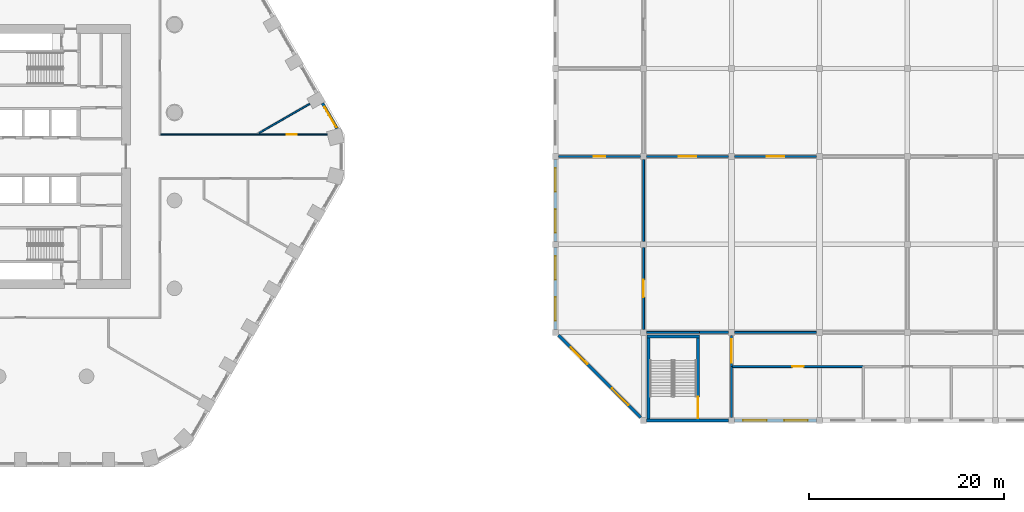
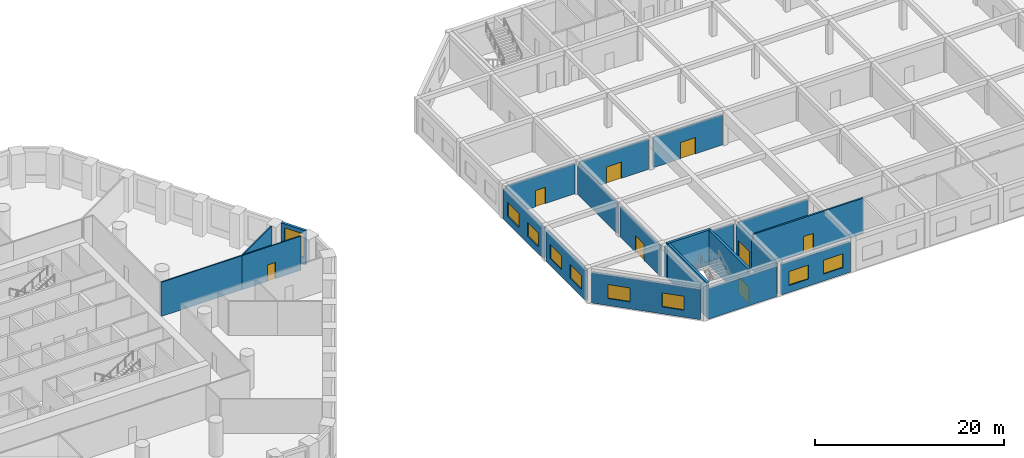
# One storey, part 13 of 26: 23 walls, 9 windows, 8 doors, 17 openings.
"""IFC4 building model written with IfcOpenShell, lengths in metres."""

from ifc_helpers import new_model, si_unit, direction, frame, frame_2d, origin, place, context, subcontext, project, spatial, rectangle, extrude, material, layer, layer_set, type_object, element, fill, save


model = new_model("IFC4")

# Units and contexts
model_context = context("Model", 3, precision=1e-05, world=origin(), true_north=direction((0.0, 1.0)))
body_context = subcontext(model_context, "Body", "Model", "MODEL_VIEW")
ifc_project = project(units=[si_unit("LENGTHUNIT", "METRE"), si_unit("AREAUNIT", "SQUARE_METRE"), si_unit("VOLUMEUNIT", "CUBIC_METRE"), si_unit("PLANEANGLEUNIT", "RADIAN"), si_unit("MASSUNIT", "GRAM", prefix="KILO")], contexts=[model_context])

# Site, building, storey
site_placement = place(None, origin())
site = spatial("IfcSite", under=ifc_project, at=site_placement, CompositionType="ELEMENT")
building_placement = place(site_placement, origin())
building = spatial("IfcBuilding", under=site, at=building_placement, Name="Dhurran Vertical Campus", CompositionType="ELEMENT")
storey_placement = place(building_placement, frame((0.0, 0.0, 15.60009765625)))
storey = spatial("IfcBuildingStorey", under=building, at=storey_placement, Name="L03", CompositionType="ELEMENT", Elevation=15.60009765625)

# Wall, opening, window
ifc_material_1 = material(Name="Precast concrete C50/60", Category="concrete")
ifc_layer_1 = layer(ifc_material_1, 0.300048828125)
ifc_layer_set_1 = layer_set([ifc_layer_1], Name="Precast concrete C50/60")
wall_type_1 = type_object("IfcWallType", Name="Precast spandrel wall 300", PredefinedType="SOLIDWALL", material=ifc_layer_set_1)
wall_1_placement = place(storey_placement, frame((39.138671875, 2.86376953125, 0.0), z_axis=(0.0, 0.0, 1.0), x_axis=(-0.49999586137, 0.866027793211, 0.0)))
wall_1 = element("IfcWall", 1, at=wall_1_placement, inside=storey, type_object=wall_type_1, Name="EW1 L03.18", PredefinedType="SOLIDWALL", context=body_context, shape_type="SweptSolid", body=[
    extrude(rectangle(XDim=2.98876953125, YDim=0.300048828125, at=frame_2d((1.494384765625, 0.0))), origin(), (0.0, 0.0, 1.0), 4.39990234375),
])
opening_1_placement = place(wall_1_placement, frame((0.139404296875, 0.0, 0.89990234375)))
opening_1 = element("IfcOpeningElement", 2, at=opening_1_placement, cuts=wall_1, Name="Opening WT2", PredefinedType="OPENING", context=body_context, shape_type="SweptSolid", body=[
    extrude(rectangle(XDim=2.39990234375, YDim=3.0, at=frame_2d((1.199951171875, 1.5))), frame((0.0, 0.159912109375, 0.0), z_axis=(0.0, -1.0, 0.0), x_axis=(1.0, 0.0, 0.0)), (0.0, 0.0, 1.0), 0.320068359375),
])
ifc_material_2 = material(Name="Aluminium frame with solar-control glass", Category="aluminium")
window_type_1 = type_object("IfcWindowType", Name="Podium window 2400 x 3000", PartitioningType="SINGLE_PANEL", PredefinedType="WINDOW", material=ifc_material_2)
window_1_placement = place(opening_1_placement, origin())
window_1 = element("IfcWindow", 3, at=window_1_placement, inside=storey, type_object=window_type_1, Name="WT2 L03.18", OverallHeight=3.0, OverallWidth=2.39990234375, PartitioningType="SINGLE_PANEL", PredefinedType="WINDOW", context=body_context, shape_type="SweptSolid", body=[
    extrude(rectangle(XDim=2.39990234375, YDim=3.0, at=frame_2d((1.199951171875, 1.5))), frame((0.0, 0.030029296875, 0.0), z_axis=(0.0, -1.0, 0.0), x_axis=(1.0, 0.0, 0.0)), (0.0, 0.0, 1.0), 0.06005859375),
])
fill(opening_1, window_1)

# Wall
ifc_material_3 = material(Name="Gypsum board corridor wall on steel studs", Category="steel")
ifc_layer_2 = layer(ifc_material_3, 0.14990234375)
ifc_layer_set_2 = layer_set([ifc_layer_2], Name="Gypsum board corridor wall on steel studs")
wall_type_2 = type_object("IfcWallType", Name="fl-CW-150 corridor wall", PredefinedType="PARTITIONING", material=ifc_layer_set_2)
wall_2_placement = place(storey_placement, frame((21.074951171875, 2.25, 0.0), z_axis=(0.0, 0.0, 1.0), x_axis=(1.0, 0.0, 0.0)))
element("IfcWall", 4, at=wall_2_placement, inside=storey, type_object=wall_type_2, Name="Partition 03-42", PredefinedType="PARTITIONING", context=body_context, shape_type="SweptSolid", body=[
    extrude(rectangle(XDim=9.822021484375, YDim=0.14990234375, at=frame_2d((4.9111328125, 0.0))), origin(), (0.0, 0.0, 1.0), 4.39990234375),
])

# Wall, opening, door
wall_3_placement = place(storey_placement, frame((30.89697265625, 2.25, 0.0), z_axis=(0.0, 0.0, 1.0), x_axis=(1.0, 0.0, 0.0)))
wall_3 = element("IfcWall", 5, at=wall_3_placement, inside=storey, type_object=wall_type_2, Name="Partition 03-50", PredefinedType="PARTITIONING", context=body_context, shape_type="SweptSolid", body=[
    extrude(rectangle(XDim=7.218505859375, YDim=0.14990234375, at=frame_2d((3.609375, 0.0))), origin(), (0.0, 0.0, 1.0), 4.39990234375),
])
opening_2_placement = place(wall_3_placement, frame((3.109130859375, 0.0, 0.0)))
opening_2 = element("IfcOpeningElement", 6, at=opening_2_placement, cuts=wall_3, Name="Opening PD03.17", PredefinedType="OPENING", context=body_context, shape_type="SweptSolid", body=[
    extrude(rectangle(XDim=1.0, YDim=2.10009765625, at=frame_2d((0.5, 1.050048828125))), frame((0.0, 0.0849609375, 0.0), z_axis=(0.0, -1.0, 0.0), x_axis=(1.0, 0.0, 0.0)), (0.0, 0.0, 1.0), 0.169921875),
])
ifc_material_4 = material(Name="Solid-core timber door set, fire-rated", Category="wood")
door_type_1 = type_object("IfcDoorType", Name="fl-D-1000x2100", OperationType="SINGLE_SWING_LEFT", PredefinedType="DOOR", material=ifc_material_4)
door_1_placement = place(opening_2_placement, origin())
door_1 = element("IfcDoor", 7, at=door_1_placement, inside=storey, type_object=door_type_1, Name="Door 03.17", OperationType="SINGLE_SWING_LEFT", OverallHeight=2.10009765625, OverallWidth=1.0, PredefinedType="DOOR", context=body_context, shape_type="SweptSolid", body=[
    extrude(rectangle(XDim=1.0, YDim=2.10009765625, at=frame_2d((0.5, 1.050048828125))), frame((0.0, 0.02490234375, 0.0), z_axis=(0.0, -1.0, 0.0), x_axis=(1.0, 0.0, 0.0)), (0.0, 0.0, 1.0), 0.050048828125),
])
fill(opening_2, door_1)

# Wall
ifc_material_5 = material(Name="Gypsum board partition on steel studs", Category="steel")
ifc_layer_3 = layer(ifc_material_5, 0.14990234375)
ifc_layer_set_3 = layer_set([ifc_layer_3], Name="Gypsum board partition on steel studs")
wall_type_3 = type_object("IfcWallType", Name="fl-PW-150 fixed partition", PredefinedType="PARTITIONING", material=ifc_layer_set_3)
wall_4_placement = place(storey_placement, frame((36.330810546875, 5.38720703125, 0.0), z_axis=(0.0, 0.0, 1.0), x_axis=(-0.866018198007, -0.500012480565, 0.0)))
element("IfcWall", 8, at=wall_4_placement, inside=storey, type_object=wall_type_3, Name="Partition 03-49", PredefinedType="PARTITIONING", context=body_context, shape_type="SweptSolid", body=[
    extrude(rectangle(XDim=5.999267578125, YDim=0.14990234375, at=frame_2d((2.99951171875, 0.0))), origin(), (0.0, 0.0, 1.0), 4.39990234375),
])

# Wall, openings, windows
ifc_material_6 = material(Name="Precast concrete C40/50", Category="concrete")
ifc_layer_4 = layer(ifc_material_6, 0.300048828125)
ifc_layer_set_4 = layer_set([ifc_layer_4], Name="Precast concrete C40/50")
wall_type_4 = type_object("IfcWallType", Name="hl-external wall precast 300", PredefinedType="SOLIDWALL", material=ifc_layer_set_4)
wall_5_placement = place(storey_placement, frame((61.800048828125, -18.300048828125, 0.0), z_axis=(0.0, 0.0, 1.0), x_axis=(0.707106781187, -0.707106781187, 0.0)))
wall_5 = element("IfcWall", 9, at=wall_5_placement, inside=storey, type_object=wall_type_4, Name="Hall external wall L03-002", PredefinedType="SOLIDWALL", context=body_context, shape_type="SweptSolid", body=[
    extrude(rectangle(XDim=11.879150390625, YDim=0.300048828125, at=frame_2d((5.939453125, 0.0))), origin(), (0.0, 0.0, 1.0), 3.89990234375),
])
opening_3_placement = place(wall_5_placement, frame((1.769775390625, 0.0, 0.89990234375)))
opening_3 = element("IfcOpeningElement", 10, at=opening_3_placement, cuts=wall_5, Name="Opening HWN1", PredefinedType="OPENING", context=body_context, shape_type="SweptSolid", body=[
    extrude(rectangle(XDim=2.39990234375, YDim=1.800048828125, at=frame_2d((1.199951171875, 0.89990234375))), frame((0.0, 0.159912109375, 0.0), z_axis=(0.0, -1.0, 0.0), x_axis=(1.0, 0.0, 0.0)), (0.0, 0.0, 1.0), 0.320068359375),
])
opening_4_placement = place(wall_5_placement, frame((7.70947265625, 0.0, 0.89990234375)))
opening_4 = element("IfcOpeningElement", 11, at=opening_4_placement, cuts=wall_5, Name="Opening HWN1", PredefinedType="OPENING", context=body_context, shape_type="SweptSolid", body=[
    extrude(rectangle(XDim=2.39990234375, YDim=1.800048828125, at=frame_2d((1.199951171875, 0.89990234375))), frame((0.0, 0.159912109375, 0.0), z_axis=(0.0, -1.0, 0.0), x_axis=(1.0, 0.0, 0.0)), (0.0, 0.0, 1.0), 0.320068359375),
])
ifc_material_7 = material(Name="Aluminium", Category="aluminium")
window_type_2 = type_object("IfcWindowType", Name="hl-window 2400x1800", PartitioningType="SINGLE_PANEL", PredefinedType="WINDOW", material=ifc_material_7)
window_2_placement = place(opening_3_placement, origin())
window_2 = element("IfcWindow", 12, at=window_2_placement, inside=storey, type_object=window_type_2, Name="Hall window L03-065", OverallHeight=1.800048828125, OverallWidth=2.39990234375, PartitioningType="SINGLE_PANEL", PredefinedType="WINDOW", context=body_context, shape_type="SweptSolid", body=[
    extrude(rectangle(XDim=2.39990234375, YDim=1.800048828125, at=frame_2d((1.199951171875, 0.89990234375))), frame((0.0, 0.030029296875, 0.0), z_axis=(0.0, -1.0, 0.0), x_axis=(1.0, 0.0, 0.0)), (0.0, 0.0, 1.0), 0.06005859375),
])
fill(opening_3, window_2)
window_3_placement = place(opening_4_placement, origin())
window_3 = element("IfcWindow", 13, at=window_3_placement, inside=storey, type_object=window_type_2, Name="Hall window L03-066", OverallHeight=1.800048828125, OverallWidth=2.39990234375, PartitioningType="SINGLE_PANEL", PredefinedType="WINDOW", context=body_context, shape_type="SweptSolid", body=[
    extrude(rectangle(XDim=2.39990234375, YDim=1.800048828125, at=frame_2d((1.199951171875, 0.89990234375))), frame((0.0, 0.030029296875, 0.0), z_axis=(0.0, -1.0, 0.0), x_axis=(1.0, 0.0, 0.0)), (0.0, 0.0, 1.0), 0.06005859375),
])
fill(opening_4, window_3)

wall_6_placement = place(storey_placement, frame((79.800048828125, -27.0, 0.0), z_axis=(0.0, 0.0, 1.0), x_axis=(1.0, 0.0, 0.0)))
wall_6 = element("IfcWall", 14, at=wall_6_placement, inside=storey, type_object=wall_type_4, Name="Hall external wall L03-006", PredefinedType="SOLIDWALL", context=body_context, shape_type="SweptSolid", body=[
    extrude(rectangle(XDim=8.39990234375, YDim=0.300048828125, at=frame_2d((4.199951171875, 0.0))), origin(), (0.0, 0.0, 1.0), 3.89990234375),
])
opening_5_placement = place(wall_6_placement, frame((0.89990234375, 0.0, 0.89990234375)))
opening_5 = element("IfcOpeningElement", 15, at=opening_5_placement, cuts=wall_6, Name="Opening HWN1", PredefinedType="OPENING", context=body_context, shape_type="SweptSolid", body=[
    extrude(rectangle(XDim=2.39990234375, YDim=1.800048828125, at=frame_2d((1.199951171875, 0.89990234375))), frame((0.0, 0.159912109375, 0.0), z_axis=(0.0, -1.0, 0.0), x_axis=(1.0, 0.0, 0.0)), (0.0, 0.0, 1.0), 0.320068359375),
])
opening_6_placement = place(wall_6_placement, frame((5.10009765625, 0.0, 0.89990234375)))
opening_6 = element("IfcOpeningElement", 16, at=opening_6_placement, cuts=wall_6, Name="Opening HWN1", PredefinedType="OPENING", context=body_context, shape_type="SweptSolid", body=[
    extrude(rectangle(XDim=2.39990234375, YDim=1.800048828125, at=frame_2d((1.199951171875, 0.89990234375))), frame((0.0, 0.159912109375, 0.0), z_axis=(0.0, -1.0, 0.0), x_axis=(1.0, 0.0, 0.0)), (0.0, 0.0, 1.0), 0.320068359375),
])
window_4_placement = place(opening_5_placement, origin())
window_4 = element("IfcWindow", 17, at=window_4_placement, inside=storey, type_object=window_type_2, Name="Hall window L03-067", OverallHeight=1.800048828125, OverallWidth=2.39990234375, PartitioningType="SINGLE_PANEL", PredefinedType="WINDOW", context=body_context, shape_type="SweptSolid", body=[
    extrude(rectangle(XDim=2.39990234375, YDim=1.800048828125, at=frame_2d((1.199951171875, 0.89990234375))), frame((0.0, 0.030029296875, 0.0), z_axis=(0.0, -1.0, 0.0), x_axis=(1.0, 0.0, 0.0)), (0.0, 0.0, 1.0), 0.06005859375),
])
fill(opening_5, window_4)
window_5_placement = place(opening_6_placement, origin())
window_5 = element("IfcWindow", 18, at=window_5_placement, inside=storey, type_object=window_type_2, Name="Hall window L03-068", OverallHeight=1.800048828125, OverallWidth=2.39990234375, PartitioningType="SINGLE_PANEL", PredefinedType="WINDOW", context=body_context, shape_type="SweptSolid", body=[
    extrude(rectangle(XDim=2.39990234375, YDim=1.800048828125, at=frame_2d((1.199951171875, 0.89990234375))), frame((0.0, 0.030029296875, 0.0), z_axis=(0.0, -1.0, 0.0), x_axis=(1.0, 0.0, 0.0)), (0.0, 0.0, 1.0), 0.06005859375),
])
fill(opening_6, window_5)

wall_7_placement = place(storey_placement, frame((61.5, -0.300048828125, 0.0), z_axis=(0.0, 0.0, 1.0), x_axis=(0.0, -1.0, 0.0)))
wall_7 = element("IfcWall", 19, at=wall_7_placement, inside=storey, type_object=wall_type_4, Name="Hall external wall L03-046", PredefinedType="SOLIDWALL", context=body_context, shape_type="SweptSolid", body=[
    extrude(rectangle(XDim=8.39990234375, YDim=0.300048828125, at=frame_2d((4.199951171875, 0.0))), origin(), (0.0, 0.0, 1.0), 3.89990234375),
])
opening_7_placement = place(wall_7_placement, frame((0.89990234375, 0.0, 0.89990234375)))
opening_7 = element("IfcOpeningElement", 20, at=opening_7_placement, cuts=wall_7, Name="Opening HWN1", PredefinedType="OPENING", context=body_context, shape_type="SweptSolid", body=[
    extrude(rectangle(XDim=2.39990234375, YDim=1.800048828125, at=frame_2d((1.199951171875, 0.89990234375))), frame((0.0, 0.159912109375, 0.0), z_axis=(0.0, -1.0, 0.0), x_axis=(1.0, 0.0, 0.0)), (0.0, 0.0, 1.0), 0.320068359375),
])
opening_8_placement = place(wall_7_placement, frame((5.10009765625, 0.0, 0.89990234375)))
opening_8 = element("IfcOpeningElement", 21, at=opening_8_placement, cuts=wall_7, Name="Opening HWN1", PredefinedType="OPENING", context=body_context, shape_type="SweptSolid", body=[
    extrude(rectangle(XDim=2.39990234375, YDim=1.800048828125, at=frame_2d((1.199951171875, 0.89990234375))), frame((0.0, 0.159912109375, 0.0), z_axis=(0.0, -1.0, 0.0), x_axis=(1.0, 0.0, 0.0)), (0.0, 0.0, 1.0), 0.320068359375),
])
window_6_placement = place(opening_7_placement, origin())
window_6 = element("IfcWindow", 22, at=window_6_placement, inside=storey, type_object=window_type_2, Name="Hall window L03-081", OverallHeight=1.800048828125, OverallWidth=2.39990234375, PartitioningType="SINGLE_PANEL", PredefinedType="WINDOW", context=body_context, shape_type="SweptSolid", body=[
    extrude(rectangle(XDim=2.39990234375, YDim=1.800048828125, at=frame_2d((1.199951171875, 0.89990234375))), frame((0.0, 0.030029296875, 0.0), z_axis=(0.0, -1.0, 0.0), x_axis=(1.0, 0.0, 0.0)), (0.0, 0.0, 1.0), 0.06005859375),
])
fill(opening_7, window_6)
window_7_placement = place(opening_8_placement, origin())
window_7 = element("IfcWindow", 23, at=window_7_placement, inside=storey, type_object=window_type_2, Name="Hall window L03-082", OverallHeight=1.800048828125, OverallWidth=2.39990234375, PartitioningType="SINGLE_PANEL", PredefinedType="WINDOW", context=body_context, shape_type="SweptSolid", body=[
    extrude(rectangle(XDim=2.39990234375, YDim=1.800048828125, at=frame_2d((1.199951171875, 0.89990234375))), frame((0.0, 0.030029296875, 0.0), z_axis=(0.0, -1.0, 0.0), x_axis=(1.0, 0.0, 0.0)), (0.0, 0.0, 1.0), 0.06005859375),
])
fill(opening_8, window_7)

wall_8_placement = place(storey_placement, frame((61.5, -9.300048828125, 0.0), z_axis=(0.0, 0.0, 1.0), x_axis=(0.0, -1.0, 0.0)))
wall_8 = element("IfcWall", 24, at=wall_8_placement, inside=storey, type_object=wall_type_4, Name="Hall external wall L03-048", PredefinedType="SOLIDWALL", context=body_context, shape_type="SweptSolid", body=[
    extrude(rectangle(XDim=8.39990234375, YDim=0.300048828125, at=frame_2d((4.199951171875, 0.0))), origin(), (0.0, 0.0, 1.0), 3.89990234375),
])
opening_9_placement = place(wall_8_placement, frame((0.89990234375, 0.0, 0.89990234375)))
opening_9 = element("IfcOpeningElement", 25, at=opening_9_placement, cuts=wall_8, Name="Opening HWN1", PredefinedType="OPENING", context=body_context, shape_type="SweptSolid", body=[
    extrude(rectangle(XDim=2.39990234375, YDim=1.800048828125, at=frame_2d((1.199951171875, 0.89990234375))), frame((0.0, 0.159912109375, 0.0), z_axis=(0.0, -1.0, 0.0), x_axis=(1.0, 0.0, 0.0)), (0.0, 0.0, 1.0), 0.320068359375),
])
opening_10_placement = place(wall_8_placement, frame((5.10009765625, 0.0, 0.89990234375)))
opening_10 = element("IfcOpeningElement", 26, at=opening_10_placement, cuts=wall_8, Name="Opening HWN1", PredefinedType="OPENING", context=body_context, shape_type="SweptSolid", body=[
    extrude(rectangle(XDim=2.39990234375, YDim=1.800048828125, at=frame_2d((1.199951171875, 0.89990234375))), frame((0.0, 0.159912109375, 0.0), z_axis=(0.0, -1.0, 0.0), x_axis=(1.0, 0.0, 0.0)), (0.0, 0.0, 1.0), 0.320068359375),
])
window_8_placement = place(opening_9_placement, origin())
window_8 = element("IfcWindow", 27, at=window_8_placement, inside=storey, type_object=window_type_2, Name="Hall window L03-083", OverallHeight=1.800048828125, OverallWidth=2.39990234375, PartitioningType="SINGLE_PANEL", PredefinedType="WINDOW", context=body_context, shape_type="SweptSolid", body=[
    extrude(rectangle(XDim=2.39990234375, YDim=1.800048828125, at=frame_2d((1.199951171875, 0.89990234375))), frame((0.0, 0.030029296875, 0.0), z_axis=(0.0, -1.0, 0.0), x_axis=(1.0, 0.0, 0.0)), (0.0, 0.0, 1.0), 0.06005859375),
])
fill(opening_9, window_8)
window_9_placement = place(opening_10_placement, origin())
window_9 = element("IfcWindow", 28, at=window_9_placement, inside=storey, type_object=window_type_2, Name="Hall window L03-084", OverallHeight=1.800048828125, OverallWidth=2.39990234375, PartitioningType="SINGLE_PANEL", PredefinedType="WINDOW", context=body_context, shape_type="SweptSolid", body=[
    extrude(rectangle(XDim=2.39990234375, YDim=1.800048828125, at=frame_2d((1.199951171875, 0.89990234375))), frame((0.0, 0.030029296875, 0.0), z_axis=(0.0, -1.0, 0.0), x_axis=(1.0, 0.0, 0.0)), (0.0, 0.0, 1.0), 0.06005859375),
])
fill(opening_10, window_9)

# Wall
ifc_material_8 = material(Name="Precast concrete C40/50", Category="concrete")
ifc_layer_5 = layer(ifc_material_8, 0.300048828125)
ifc_layer_set_5 = layer_set([ifc_layer_5], Name="Precast concrete C40/50")
wall_type_5 = type_object("IfcWallType", Name="hl-external wall precast 300 EI 120", PredefinedType="SOLIDWALL", material=ifc_layer_set_5)
wall_9_placement = place(storey_placement, frame((70.800048828125, -27.0, 0.0), z_axis=(0.0, 0.0, 1.0), x_axis=(1.0, 0.0, 0.0)))
element("IfcWall", 29, at=wall_9_placement, inside=storey, type_object=wall_type_5, Name="Hall external wall L03-004", PredefinedType="SOLIDWALL", context=body_context, shape_type="SweptSolid", body=[
    extrude(rectangle(XDim=8.39990234375, YDim=0.300048828125, at=frame_2d((4.199951171875, 0.0))), origin(), (0.0, 0.0, 1.0), 3.89990234375),
])

# Wall, opening, door
ifc_material_9 = material(Name="Masonry blockwork", Category="masonry")
ifc_layer_6 = layer(ifc_material_9, 0.199951171875)
ifc_layer_set_6 = layer_set([ifc_layer_6], Name="Masonry blockwork")
wall_type_6 = type_object("IfcWallType", Name="hl-partition blockwork 200 EI 60", PredefinedType="PARTITIONING", material=ifc_layer_set_6)
wall_10_placement = place(storey_placement, frame((61.800048828125, 0.0, 0.0), z_axis=(0.0, 0.0, 1.0), x_axis=(1.0, 0.0, 0.0)))
wall_10 = element("IfcWall", 30, at=wall_10_placement, inside=storey, type_object=wall_type_6, Name="Hall partition L03-001", PredefinedType="PARTITIONING", context=body_context, shape_type="SweptSolid", body=[
    extrude(rectangle(XDim=8.39990234375, YDim=0.199951171875, at=frame_2d((4.199951171875, 0.0))), origin(), (0.0, 0.0, 1.0), 3.89990234375),
])
opening_11_placement = place(wall_10_placement, frame((3.60009765625, 0.0, 0.0)))
opening_11 = element("IfcOpeningElement", 31, at=opening_11_placement, cuts=wall_10, Name="Opening HD315", PredefinedType="OPENING", context=body_context, shape_type="SweptSolid", body=[
    extrude(rectangle(XDim=1.199951171875, YDim=2.10009765625, at=frame_2d((0.60009765625, 1.050048828125))), frame((0.0, 0.10986328125, 0.0), z_axis=(0.0, -1.0, 0.0), x_axis=(1.0, 0.0, 0.0)), (0.0, 0.0, 1.0), 0.219970703125),
])
ifc_material_10 = material(Name="Fire-rated steel door set", Category="steel")
door_type_2 = type_object("IfcDoorType", Name="hl-door 1200x2100 single FD30S", OperationType="NOTDEFINED", PredefinedType="DOOR", material=ifc_material_10)
door_2_placement = place(opening_11_placement, origin())
door_2 = element("IfcDoor", 32, at=door_2_placement, inside=storey, type_object=door_type_2, Name="Door HD315", OperationType="SINGLE_SWING_LEFT", OverallHeight=2.10009765625, OverallWidth=1.199951171875, PredefinedType="DOOR", context=body_context, shape_type="SweptSolid", body=[
    extrude(rectangle(XDim=1.199951171875, YDim=2.10009765625, at=frame_2d((0.60009765625, 1.050048828125))), frame((0.0, 0.02490234375, 0.0), z_axis=(0.0, -1.0, 0.0), x_axis=(1.0, 0.0, 0.0)), (0.0, 0.0, 1.0), 0.050048828125),
])
fill(opening_11, door_2)

wall_11_placement = place(storey_placement, frame((70.5, -17.699951171875, 0.0), z_axis=(0.0, 0.0, 1.0), x_axis=(0.0, 1.0, 0.0)))
wall_11 = element("IfcWall", 33, at=wall_11_placement, inside=storey, type_object=wall_type_6, Name="Hall partition L03-003", PredefinedType="PARTITIONING", context=body_context, shape_type="SweptSolid", body=[
    extrude(rectangle(XDim=8.39990234375, YDim=0.199951171875, at=frame_2d((4.199951171875, 0.0))), origin(), (0.0, 0.0, 1.0), 3.89990234375),
])
opening_12_placement = place(wall_11_placement, frame((3.300048828125, 0.0, 0.0)))
opening_12 = element("IfcOpeningElement", 34, at=opening_12_placement, cuts=wall_11, Name="Opening HD305", PredefinedType="OPENING", context=body_context, shape_type="SweptSolid", body=[
    extrude(rectangle(XDim=1.800048828125, YDim=2.10009765625, at=frame_2d((0.89990234375, 1.050048828125))), frame((0.0, 0.10986328125, 0.0), z_axis=(0.0, -1.0, 0.0), x_axis=(1.0, 0.0, 0.0)), (0.0, 0.0, 1.0), 0.219970703125),
])
ifc_material_11 = material(Name="Fire-rated steel door set", Category="steel")
door_type_3 = type_object("IfcDoorType", Name="hl-door 1800x2100 double FD30S", OperationType="NOTDEFINED", PredefinedType="DOOR", material=ifc_material_11)
door_3_placement = place(opening_12_placement, origin())
door_3 = element("IfcDoor", 35, at=door_3_placement, inside=storey, type_object=door_type_3, Name="Door HD305", OperationType="DOUBLE_DOOR_SINGLE_SWING", OverallHeight=2.10009765625, OverallWidth=1.800048828125, PredefinedType="DOOR", context=body_context, shape_type="SweptSolid", body=[
    extrude(rectangle(XDim=1.800048828125, YDim=2.10009765625, at=frame_2d((0.89990234375, 1.050048828125))), frame((0.0, 0.02490234375, 0.0), z_axis=(0.0, -1.0, 0.0), x_axis=(1.0, 0.0, 0.0)), (0.0, 0.0, 1.0), 0.050048828125),
])
fill(opening_12, door_3)

# Walls
wall_12_placement = place(storey_placement, frame((70.5, -8.699951171875, 0.0), z_axis=(0.0, 0.0, 1.0), x_axis=(0.0, 1.0, 0.0)))
element("IfcWall", 36, at=wall_12_placement, inside=storey, type_object=wall_type_6, Name="Hall partition L03-004", PredefinedType="PARTITIONING", context=body_context, shape_type="SweptSolid", body=[
    extrude(rectangle(XDim=8.39990234375, YDim=0.199951171875, at=frame_2d((4.199951171875, 0.0))), origin(), (0.0, 0.0, 1.0), 3.89990234375),
])
wall_13_placement = place(storey_placement, frame((70.800048828125, -18.0, 0.0), z_axis=(0.0, 0.0, 1.0), x_axis=(1.0, 0.0, 0.0)))
element("IfcWall", 37, at=wall_13_placement, inside=storey, type_object=wall_type_6, Name="Hall partition L03-005", PredefinedType="PARTITIONING", context=body_context, shape_type="SweptSolid", body=[
    extrude(rectangle(XDim=5.39990234375, YDim=0.199951171875, at=frame_2d((2.699951171875, 0.0))), origin(), (0.0, 0.0, 1.0), 3.89990234375),
])

# Wall, opening, door
wall_14_placement = place(storey_placement, frame((70.800048828125, 0.0, 0.0), z_axis=(0.0, 0.0, 1.0), x_axis=(1.0, 0.0, 0.0)))
wall_14 = element("IfcWall", 38, at=wall_14_placement, inside=storey, type_object=wall_type_6, Name="Hall partition L03-007", PredefinedType="PARTITIONING", context=body_context, shape_type="SweptSolid", body=[
    extrude(rectangle(XDim=8.39990234375, YDim=0.199951171875, at=frame_2d((4.199951171875, 0.0))), origin(), (0.0, 0.0, 1.0), 3.89990234375),
])
opening_13_placement = place(wall_14_placement, frame((3.300048828125, 0.0, 0.0)))
opening_13 = element("IfcOpeningElement", 39, at=opening_13_placement, cuts=wall_14, Name="Opening HD306", PredefinedType="OPENING", context=body_context, shape_type="SweptSolid", body=[
    extrude(rectangle(XDim=1.800048828125, YDim=2.10009765625, at=frame_2d((0.89990234375, 1.050048828125))), frame((0.0, 0.10986328125, 0.0), z_axis=(0.0, -1.0, 0.0), x_axis=(1.0, 0.0, 0.0)), (0.0, 0.0, 1.0), 0.219970703125),
])
door_4_placement = place(opening_13_placement, origin())
door_4 = element("IfcDoor", 40, at=door_4_placement, inside=storey, type_object=door_type_3, Name="Door HD306", OperationType="DOUBLE_DOOR_SINGLE_SWING", OverallHeight=2.10009765625, OverallWidth=1.800048828125, PredefinedType="DOOR", context=body_context, shape_type="SweptSolid", body=[
    extrude(rectangle(XDim=1.800048828125, YDim=2.10009765625, at=frame_2d((0.89990234375, 1.050048828125))), frame((0.0, 0.02490234375, 0.0), z_axis=(0.0, -1.0, 0.0), x_axis=(1.0, 0.0, 0.0)), (0.0, 0.0, 1.0), 0.050048828125),
])
fill(opening_13, door_4)

wall_15_placement = place(storey_placement, frame((79.800048828125, 0.0, 0.0), z_axis=(0.0, 0.0, 1.0), x_axis=(1.0, 0.0, 0.0)))
wall_15 = element("IfcWall", 41, at=wall_15_placement, inside=storey, type_object=wall_type_6, Name="Hall partition L03-008", PredefinedType="PARTITIONING", context=body_context, shape_type="SweptSolid", body=[
    extrude(rectangle(XDim=8.39990234375, YDim=0.199951171875, at=frame_2d((4.199951171875, 0.0))), origin(), (0.0, 0.0, 1.0), 3.89990234375),
])
opening_14_placement = place(wall_15_placement, frame((3.300048828125, 0.0, 0.0)))
opening_14 = element("IfcOpeningElement", 42, at=opening_14_placement, cuts=wall_15, Name="Opening HD307", PredefinedType="OPENING", context=body_context, shape_type="SweptSolid", body=[
    extrude(rectangle(XDim=1.800048828125, YDim=2.10009765625, at=frame_2d((0.89990234375, 1.050048828125))), frame((0.0, 0.10986328125, 0.0), z_axis=(0.0, -1.0, 0.0), x_axis=(1.0, 0.0, 0.0)), (0.0, 0.0, 1.0), 0.219970703125),
])
door_5_placement = place(opening_14_placement, origin())
door_5 = element("IfcDoor", 43, at=door_5_placement, inside=storey, type_object=door_type_3, Name="Door HD307", OperationType="DOUBLE_DOOR_SINGLE_SWING", OverallHeight=2.10009765625, OverallWidth=1.800048828125, PredefinedType="DOOR", context=body_context, shape_type="SweptSolid", body=[
    extrude(rectangle(XDim=1.800048828125, YDim=2.10009765625, at=frame_2d((0.89990234375, 1.050048828125))), frame((0.0, 0.02490234375, 0.0), z_axis=(0.0, -1.0, 0.0), x_axis=(1.0, 0.0, 0.0)), (0.0, 0.0, 1.0), 0.050048828125),
])
fill(opening_14, door_5)

wall_16_placement = place(storey_placement, frame((79.60009765625, -21.5, 0.0), z_axis=(0.0, 0.0, 1.0), x_axis=(1.0, 0.0, 0.0)))
wall_16 = element("IfcWall", 44, at=wall_16_placement, inside=storey, type_object=wall_type_6, Name="Hall partition L03-016", PredefinedType="PARTITIONING", context=body_context, shape_type="SweptSolid", body=[
    extrude(rectangle(XDim=13.39990234375, YDim=0.199951171875, at=frame_2d((6.699951171875, 0.0))), origin(), (0.0, 0.0, 1.0), 4.52001953125),
])
opening_15_placement = place(wall_16_placement, frame((6.10009765625, 0.0, 0.0)))
opening_15 = element("IfcOpeningElement", 45, at=opening_15_placement, cuts=wall_16, Name="Opening HD312", PredefinedType="OPENING", context=body_context, shape_type="SweptSolid", body=[
    extrude(rectangle(XDim=1.199951171875, YDim=2.10009765625, at=frame_2d((0.60009765625, 1.050048828125))), frame((0.0, 0.10986328125, 0.0), z_axis=(0.0, -1.0, 0.0), x_axis=(1.0, 0.0, 0.0)), (0.0, 0.0, 1.0), 0.219970703125),
])
door_6_placement = place(opening_15_placement, origin())
door_6 = element("IfcDoor", 46, at=door_6_placement, inside=storey, type_object=door_type_2, Name="Door HD312", OperationType="SINGLE_SWING_RIGHT", OverallHeight=2.10009765625, OverallWidth=1.199951171875, PredefinedType="DOOR", context=body_context, shape_type="SweptSolid", body=[
    extrude(rectangle(XDim=1.199951171875, YDim=2.10009765625, at=frame_2d((0.60009765625, 1.050048828125))), frame((0.0, 0.02490234375, 0.0), z_axis=(0.0, -1.0, 0.0), x_axis=(1.0, 0.0, 0.0)), (0.0, 0.0, 1.0), 0.050048828125),
])
fill(opening_15, door_6)

# Walls
wall_17_placement = place(storey_placement, frame((79.800048828125, -18.0, 0.0), z_axis=(0.0, 0.0, 1.0), x_axis=(1.0, 0.0, 0.0)))
element("IfcWall", 47, at=wall_17_placement, inside=storey, type_object=wall_type_6, Name="Hall partition L03-017", PredefinedType="PARTITIONING", context=body_context, shape_type="SweptSolid", body=[
    extrude(rectangle(XDim=8.39990234375, YDim=0.199951171875, at=frame_2d((4.199951171875, 0.0))), origin(), (0.0, 0.0, 1.0), 3.89990234375),
])
ifc_material_12 = material(Name="Masonry blockwork", Category="masonry")
ifc_layer_7 = layer(ifc_material_12, 0.25)
ifc_layer_set_7 = layer_set([ifc_layer_7], Name="Masonry blockwork")
wall_type_7 = type_object("IfcWallType", Name="hl-partition blockwork 250 EI 120", PredefinedType="PARTITIONING", material=ifc_layer_set_7)
wall_18_placement = place(storey_placement, frame((76.199951171875, -18.0, 0.0), z_axis=(0.0, 0.0, 1.0), x_axis=(1.0, 0.0, 0.0)))
element("IfcWall", 48, at=wall_18_placement, inside=storey, type_object=wall_type_7, Name="Hall partition L03-012", PredefinedType="PARTITIONING", context=body_context, shape_type="SweptSolid", body=[
    extrude(rectangle(XDim=3.0, YDim=0.25, at=frame_2d((1.5, 0.0))), origin(), (0.0, 0.0, 1.0), 3.89990234375),
])
wall_19_placement = place(storey_placement, frame((79.5, -26.699951171875, 0.0), z_axis=(0.0, 0.0, 1.0), x_axis=(0.0, 1.0, 0.0)))
element("IfcWall", 49, at=wall_19_placement, inside=storey, type_object=wall_type_7, Name="Hall partition L03-014", PredefinedType="PARTITIONING", context=body_context, shape_type="SweptSolid", body=[
    extrude(rectangle(XDim=5.199951171875, YDim=0.25, at=frame_2d((2.60009765625, 0.0))), origin(), (0.0, 0.0, 1.0), 3.89990234375),
])

# Wall, opening, door
wall_20_placement = place(storey_placement, frame((79.5, -21.5, 0.0), z_axis=(0.0, 0.0, 1.0), x_axis=(0.0, 1.0, 0.0)))
wall_20 = element("IfcWall", 50, at=wall_20_placement, inside=storey, type_object=wall_type_7, Name="Hall partition L03-015", PredefinedType="PARTITIONING", context=body_context, shape_type="SweptSolid", body=[
    extrude(rectangle(XDim=3.199951171875, YDim=0.25, at=frame_2d((1.60009765625, 0.0))), origin(), (0.0, 0.0, 1.0), 3.89990234375),
])
opening_16_placement = place(wall_20_placement, frame((0.39990234375, 0.0, 0.0)))
opening_16 = element("IfcOpeningElement", 51, at=opening_16_placement, cuts=wall_20, Name="Opening HD301", PredefinedType="OPENING", context=body_context, shape_type="SweptSolid", body=[
    extrude(rectangle(XDim=2.39990234375, YDim=2.10009765625, at=frame_2d((1.199951171875, 1.050048828125))), frame((0.0, 0.135009765625, 0.0), z_axis=(0.0, -1.0, 0.0), x_axis=(1.0, 0.0, 0.0)), (0.0, 0.0, 1.0), 0.27001953125),
])
ifc_material_13 = material(Name="Fire-rated steel door set", Category="steel")
door_type_4 = type_object("IfcDoorType", Name="hl-door 2400x2100 double FD90", OperationType="NOTDEFINED", PredefinedType="DOOR", material=ifc_material_13)
door_7_placement = place(opening_16_placement, origin())
door_7 = element("IfcDoor", 52, at=door_7_placement, inside=storey, type_object=door_type_4, Name="Door HD301", OperationType="DOUBLE_DOOR_SINGLE_SWING", OverallHeight=2.10009765625, OverallWidth=2.39990234375, PredefinedType="DOOR", context=body_context, shape_type="SweptSolid", body=[
    extrude(rectangle(XDim=2.39990234375, YDim=2.10009765625, at=frame_2d((1.199951171875, 1.050048828125))), frame((0.0, 0.02490234375, 0.0), z_axis=(0.0, -1.0, 0.0), x_axis=(1.0, 0.0, 0.0)), (0.0, 0.0, 1.0), 0.050048828125),
])
fill(opening_16, door_7)

# Wall
ifc_material_14 = material(Name="Concrete C40/50", Category="concrete")
ifc_layer_8 = layer(ifc_material_14, 0.300048828125)
ifc_layer_set_8 = layer_set([ifc_layer_8], Name="Concrete C40/50")
wall_type_8 = type_object("IfcWallType", Name="hl-stair shaft wall 300", PredefinedType="SHEAR", material=ifc_layer_set_8)
wall_21_placement = place(storey_placement, frame((71.0, -26.85009765625, 0.0), z_axis=(0.0, 0.0, 1.0), x_axis=(0.0, 1.0, 0.0)))
element("IfcWall", 53, at=wall_21_placement, inside=storey, type_object=wall_type_8, Name="Stair shaft wall HST1 W L03", PredefinedType="SHEAR", context=body_context, shape_type="SweptSolid", body=[
    extrude(rectangle(XDim=8.300048828125, YDim=0.300048828125, at=frame_2d((4.14990234375, 0.0))), origin(), (0.0, 0.0, 1.0), 4.52001953125),
])

# Wall, opening, door
wall_22_placement = place(storey_placement, frame((76.050048828125, -26.85009765625, 0.0), z_axis=(0.0, 0.0, 1.0), x_axis=(0.0, 1.0, 0.0)))
wall_22 = element("IfcWall", 54, at=wall_22_placement, inside=storey, type_object=wall_type_8, Name="Stair shaft wall HST1 E L03", PredefinedType="SHEAR", context=body_context, shape_type="SweptSolid", body=[
    extrude(rectangle(XDim=8.300048828125, YDim=0.300048828125, at=frame_2d((4.14990234375, 0.0))), origin(), (0.0, 0.0, 1.0), 4.52001953125),
])
opening_17_placement = place(wall_22_placement, frame((0.050048828125, 0.0, 0.0)))
opening_17 = element("IfcOpeningElement", 55, at=opening_17_placement, cuts=wall_22, Name="Opening HDS31", PredefinedType="OPENING", context=body_context, shape_type="SweptSolid", body=[
    extrude(rectangle(XDim=2.199951171875, YDim=2.10009765625, at=frame_2d((1.10009765625, 1.050048828125))), frame((0.0, 0.159912109375, 0.0), z_axis=(0.0, -1.0, 0.0), x_axis=(1.0, 0.0, 0.0)), (0.0, 0.0, 1.0), 0.320068359375),
])
ifc_material_15 = material(Name="Fire-rated steel door set", Category="steel")
door_type_5 = type_object("IfcDoorType", Name="hl-door 2200x2100 double FD90", OperationType="NOTDEFINED", PredefinedType="DOOR", material=ifc_material_15)
door_8_placement = place(opening_17_placement, origin())
door_8 = element("IfcDoor", 56, at=door_8_placement, inside=storey, type_object=door_type_5, Name="Door HDS31", OperationType="DOUBLE_DOOR_SINGLE_SWING", OverallHeight=2.10009765625, OverallWidth=2.199951171875, PredefinedType="DOOR", context=body_context, shape_type="SweptSolid", body=[
    extrude(rectangle(XDim=2.199951171875, YDim=2.10009765625, at=frame_2d((1.10009765625, 1.050048828125))), frame((0.0, 0.02490234375, 0.0), z_axis=(0.0, -1.0, 0.0), x_axis=(1.0, 0.0, 0.0)), (0.0, 0.0, 1.0), 0.050048828125),
])
fill(opening_17, door_8)

# Wall
wall_23_placement = place(storey_placement, frame((70.85009765625, -18.39990234375, 0.0), z_axis=(0.0, 0.0, 1.0), x_axis=(1.0, 0.0, 0.0)))
element("IfcWall", 57, at=wall_23_placement, inside=storey, type_object=wall_type_8, Name="Stair shaft wall HST1 F L03", PredefinedType="SHEAR", context=body_context, shape_type="SweptSolid", body=[
    extrude(rectangle(XDim=5.349853515625, YDim=0.300048828125, at=frame_2d((2.6748046875, 0.0))), origin(), (0.0, 0.0, 1.0), 4.52001953125),
])

save(model, "model.ifc")
